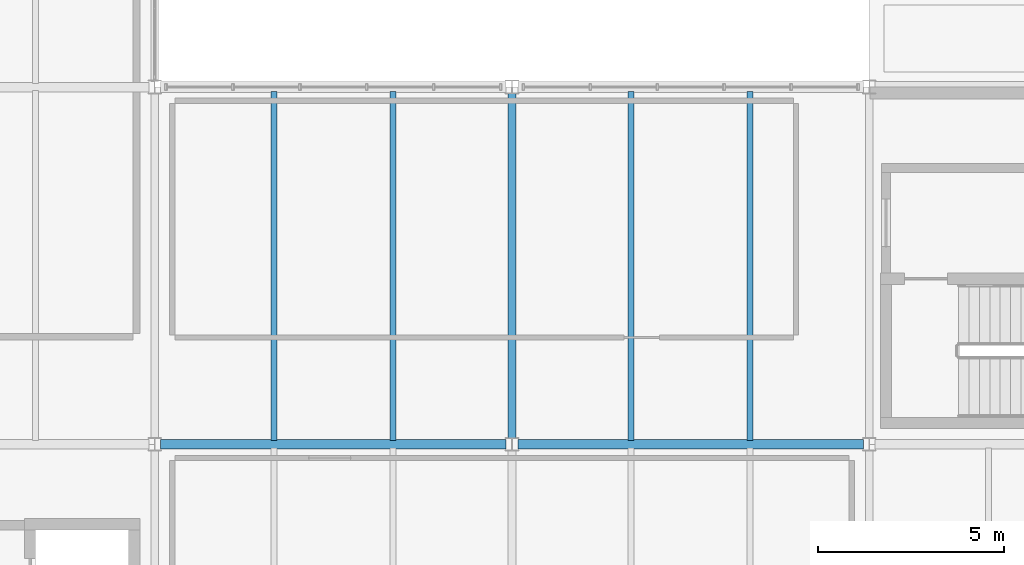
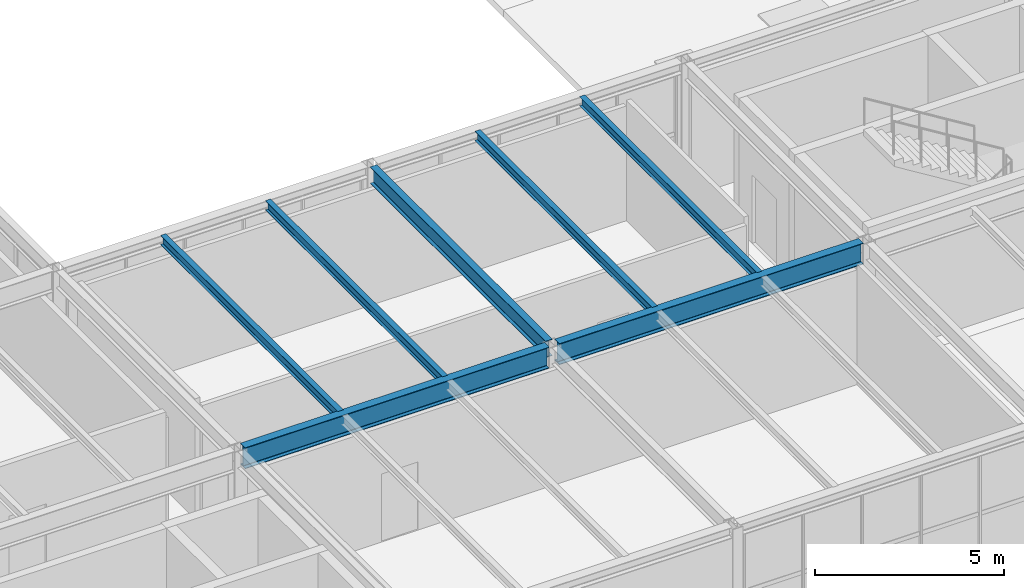
# One storey, part 31 of 170: 7 beams.
"""IFC4 building model written with IfcOpenShell, lengths in metres."""

from ifc_helpers import new_model, si_unit, direction, frame, origin, origin_2d, place, context, subcontext, project, spatial, i_section, extrude, material, material_profile, profile_set, type_object, element, save


model = new_model("IFC4")

# Units and contexts
model_context = context("Model", 3, precision=1e-05, world=origin(), true_north=direction((0.0, 1.0)))
body_context = subcontext(model_context, "Body", "Model", "MODEL_VIEW")
ifc_project = project(units=[si_unit("LENGTHUNIT", "METRE"), si_unit("AREAUNIT", "SQUARE_METRE"), si_unit("VOLUMEUNIT", "CUBIC_METRE"), si_unit("PLANEANGLEUNIT", "RADIAN"), si_unit("MASSUNIT", "GRAM", prefix="KILO")], contexts=[model_context])

# Site, building, storey
site_placement = place(None, origin())
site = spatial("IfcSite", under=ifc_project, at=site_placement, CompositionType="ELEMENT")
building_placement = place(site_placement, origin())
building = spatial("IfcBuilding", under=site, at=building_placement, Name="Coralgate Yard Interchange", CompositionType="ELEMENT")
storey_placement = place(building_placement, frame((0.0, 0.0, 6.0)))
storey = spatial("IfcBuildingStorey", under=building, at=storey_placement, Name="L01", CompositionType="ELEMENT", Elevation=6.0)

# Beams
ifc_material = material(Name="Structural steel S355J2", Category="steel")
ifc_material_profile_1 = material_profile(ifc_material, i_section(OverallWidth=0.209228515625, OverallDepth=0.533203125, WebThickness=0.010009765625, FlangeThickness=0.015625, FilletRadius=0.0126953125, at=origin_2d()), Name="UB 533x210x92")
ifc_profile_set_1 = profile_set([ifc_material_profile_1], Name="Structural steel S355J2")
beam_type_1 = type_object("IfcBeamType", Name="BM-SB-1", PredefinedType="BEAM", material=ifc_profile_set_1)
beam_placement = place(storey_placement, frame((38.39990234375, 9.754150390625, 3.9833984375), z_axis=(0.0, 1.0, 0.0), x_axis=(-1.0, 0.0, 0.0)))
element("IfcBeam", 1, at=beam_placement, inside=storey, type_object=beam_type_1, Name="L01 primary grid girder X4 Y1-2", PredefinedType="BEAM", context=body_context, shape_type="SweptSolid", body=[
    extrude(i_section(OverallWidth=0.209228515625, OverallDepth=0.533203125, WebThickness=0.010009765625, FlangeThickness=0.015625, FilletRadius=0.0126953125, at=origin_2d()), origin(), (0.0, 0.0, 1.0), 9.291748046875),
])
ifc_material_profile_2 = material_profile(ifc_material, i_section(OverallWidth=0.253662109375, OverallDepth=0.68359375, WebThickness=0.012451171875, FlangeThickness=0.01904296875, FilletRadius=0.01513671875, at=origin_2d()), Name="UB 686x254x140")
ifc_profile_set_2 = profile_set([ifc_material_profile_2], Name="Structural steel S355J2")
beam_type_2 = type_object("IfcBeamType", Name="BM-SG-4", PredefinedType="BEAM", material=ifc_profile_set_2)
for number, where, z_axis, x_axis, name in (
    (2, (28.956298828125, 9.60009765625, 3.908203125), (1.0, 0.0, 0.0), (0.0, 1.0, 0.0), "L01 primary grid beam Y1 X3-4"),
    (3, (38.556396484375, 9.60009765625, 3.908203125), (1.0, 0.0, 0.0), (0.0, 1.0, 0.0), "L01 primary grid beam Y1 X4-5"),
):
    element("IfcBeam", number, at=place(storey_placement, frame(where, z_axis=z_axis, x_axis=x_axis)), inside=storey, type_object=beam_type_2, Name=name, PredefinedType="BEAM", context=body_context, shape_type="SweptSolid", body=[
        extrude(i_section(OverallWidth=0.253662109375, OverallDepth=0.68359375, WebThickness=0.012451171875, FlangeThickness=0.01904296875, FilletRadius=0.01513671875, at=origin_2d()), origin(), (0.0, 0.0, 1.0), 9.287353515625),
    ])
ifc_material_profile_3 = material_profile(ifc_material, i_section(OverallWidth=0.1650390625, OverallDepth=0.303466796875, WebThickness=0.006103515625, FlangeThickness=0.01025390625, FilletRadius=0.0087890625, at=origin_2d()), Name="UB 305x165x40")
ifc_profile_set_3 = profile_set([ifc_material_profile_3], Name="Structural steel S355J2")
beam_type_3 = type_object("IfcBeamType", Name="BM-SJ-1", PredefinedType="JOIST", material=ifc_profile_set_3)
for number, where, z_axis, x_axis, name in (
    (4, (32.0, 9.69677734375, 4.098388671875), (0.0, 1.0, 0.0), (-1.0, 0.0, 0.0), "L01 composite floor joist 3-1-1"),
    (5, (35.199951171875, 9.69677734375, 4.098388671875), (0.0, 1.0, 0.0), (-1.0, 0.0, 0.0), "L01 composite floor joist 3-1-2"),
    (6, (41.60009765625, 9.69677734375, 4.098388671875), (0.0, 1.0, 0.0), (-1.0, 0.0, 0.0), "L01 composite floor joist 4-1-1"),
    (7, (44.800048828125, 9.69677734375, 4.098388671875), (0.0, 1.0, 0.0), (-1.0, 0.0, 0.0), "L01 composite floor joist 4-1-2"),
):
    element("IfcBeam", number, at=place(storey_placement, frame(where, z_axis=z_axis, x_axis=x_axis)), inside=storey, type_object=beam_type_3, Name=name, PredefinedType="JOIST", context=body_context, shape_type="SweptSolid", body=[
        extrude(i_section(OverallWidth=0.1650390625, OverallDepth=0.303466796875, WebThickness=0.006103515625, FlangeThickness=0.01025390625, FilletRadius=0.0087890625, at=origin_2d()), origin(), (0.0, 0.0, 1.0), 9.38330078125),
    ])

save(model, "model.ifc")
